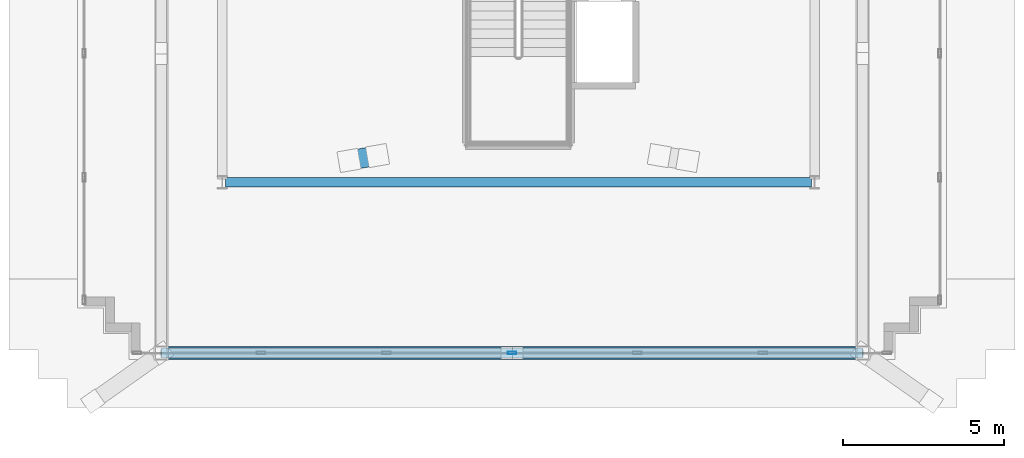
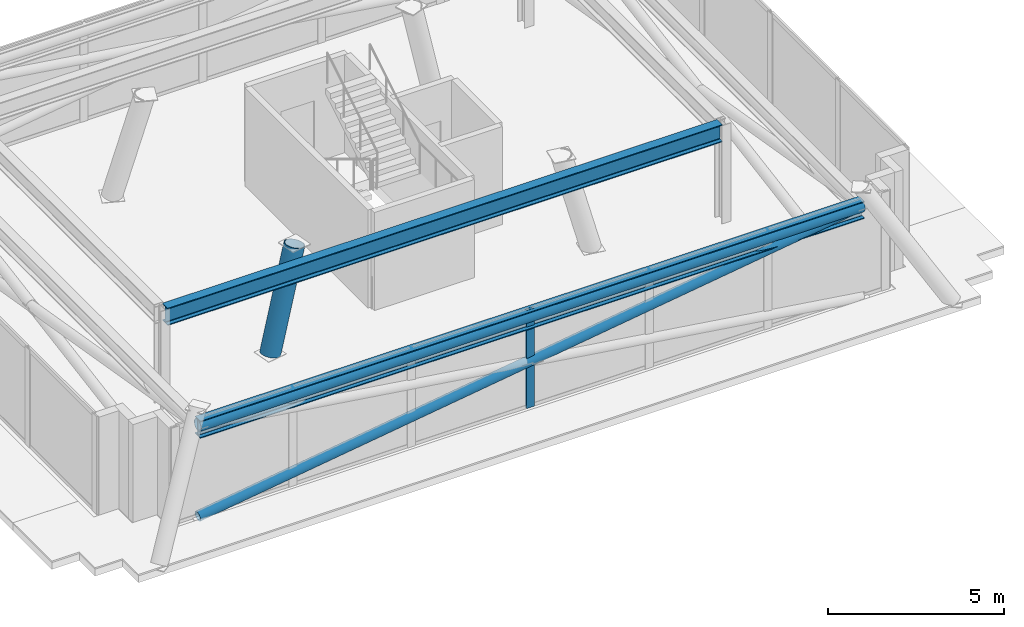
# One storey, part 3 of 13: 4 members, 2 beams, 1 element without a shape of its own.
"""IFC4 building model written with IfcOpenShell, lengths in metres."""

from ifc_helpers import new_model, si_unit, direction, frame, origin, origin_2d, place, context, subcontext, project, spatial, hollow_rectangle, hollow_circle, i_section, extrude, material, layer, layer_set, material_profile, profile_set, type_object, element, aggregate, save


model = new_model("IFC4")

# Units and contexts
model_context = context("Model", 3, precision=1e-05, world=origin(), true_north=direction((0.0, 1.0)))
body_context = subcontext(model_context, "Body", "Model", "MODEL_VIEW")
ifc_project = project(units=[si_unit("LENGTHUNIT", "METRE"), si_unit("AREAUNIT", "SQUARE_METRE"), si_unit("VOLUMEUNIT", "CUBIC_METRE"), si_unit("PLANEANGLEUNIT", "RADIAN"), si_unit("MASSUNIT", "GRAM", prefix="KILO")], contexts=[model_context])

# Site, building, storey
site_placement = place(None, origin())
site = spatial("IfcSite", under=ifc_project, at=site_placement, CompositionType="ELEMENT")
building_placement = place(site_placement, origin())
building = spatial("IfcBuilding", under=site, at=building_placement, Name="Qobustan Lattice House", CompositionType="ELEMENT")
storey_placement = place(building_placement, frame((0.0, 0.0, 285.39990234375)))
storey = spatial("IfcBuildingStorey", under=building, at=storey_placement, Name="L80", CompositionType="ELEMENT", Elevation=285.39990234375)

# Beams
ifc_material_1 = material(Name="Steel S355", Category="steel")
ifc_material_profile_1 = material_profile(ifc_material_1, i_section(OverallWidth=0.300048828125, OverallDepth=0.60009765625, WebThickness=0.015380859375, FlangeThickness=0.030029296875, FilletRadius=0.027099609375, at=origin_2d()), Name="HEB600")
ifc_profile_set_1 = profile_set([ifc_material_profile_1], Name="Steel S355")
beam_type = type_object("IfcBeamType", Name="BM-POD-HEB600", PredefinedType="USERDEFINED", material=ifc_profile_set_1)
beam_1_placement = place(storey_placement, frame((-9.10009765625, -5.60009765625, 3.10009765625), z_axis=(1.0, 0.0, 0.0), x_axis=(0.0, 1.0, 0.0)))
element("IfcBeam", 1, at=beam_1_placement, inside=storey, type_object=beam_type, Name="L80 crown support ring girder 1", ObjectType="GIRDER", PredefinedType="USERDEFINED", context=body_context, shape_type="SweptSolid", body=[
    extrude(i_section(OverallWidth=0.300048828125, OverallDepth=0.60009765625, WebThickness=0.015380859375, FlangeThickness=0.030029296875, FilletRadius=0.027099609375, at=origin_2d()), origin(), (0.0, 0.0, 1.0), 18.2001953125),
])
beam_2_placement = place(storey_placement, frame((-11.093505859375, -10.906494140625, 3.10009765625), z_axis=(1.0, 0.0, 0.0), x_axis=(0.0, 1.0, 0.0)))
element("IfcBeam", 2, at=beam_2_placement, inside=storey, type_object=beam_type, Name="L80 crown perimeter ring beam 1", ObjectType="GIRDER", PredefinedType="USERDEFINED", context=body_context, shape_type="SweptSolid", body=[
    extrude(i_section(OverallWidth=0.300048828125, OverallDepth=0.60009765625, WebThickness=0.015380859375, FlangeThickness=0.030029296875, FilletRadius=0.027099609375, at=origin_2d()), origin(), (0.0, 0.0, 1.0), 21.787109375),
])

# Curtain wall, member
ifc_material_2 = material(Name="Anodised aluminium and low-E glazing", Category="aluminium")
ifc_layer = layer(ifc_material_2, 0.219970703125)
ifc_layer_set = layer_set([ifc_layer], Name="Anodised aluminium and low-E glazing")
curtain_wall_type = type_object("IfcCurtainWallType", Name="CW-CRN-01", PredefinedType="USERDEFINED", material=ifc_layer_set)
curtain_wall_placement = place(storey_placement, origin())
curtain_wall = element("IfcCurtainWall", 3, at=curtain_wall_placement, inside=storey, type_object=curtain_wall_type, Name="L80 glass-point crown faceted curtain wall 20", ObjectType="CURTAIN WALL", PredefinedType="USERDEFINED")
ifc_material_3 = material(Name="Anodised aluminium EN AW-6063 T6", Category="aluminium")
ifc_material_profile_2 = material_profile(ifc_material_3, hollow_rectangle(XDim=0.090087890625, YDim=0.260009765625, WallThickness=0.006103515625, at=origin_2d()), Name="CWM-CROWN-260x90")
ifc_profile_set_2 = profile_set([ifc_material_profile_2], Name="Anodised aluminium EN AW-6063 T6")
member_type_1 = type_object("IfcMemberType", Name="CWM-CRN-260", PredefinedType="MULLION", material=ifc_profile_set_2)
member_1_placement = place(storey_placement, frame((-0.199951171875, -10.906494140625, 0.0), z_axis=(0.0, 0.0, 1.0), x_axis=(0.0, -1.0, 0.0)))
member_1 = element("IfcMember", 4, at=member_1_placement, type_object=member_type_1, Name="CW-CR mullion 4", PredefinedType="MULLION", context=body_context, shape_type="SweptSolid", body=[
    extrude(hollow_rectangle(XDim=0.090087890625, YDim=0.260009765625, WallThickness=0.006103515625, at=origin_2d()), origin(), (0.0, 0.0, 1.0), 3.400146484375),
])
aggregate(curtain_wall, [member_1])

# Members
ifc_material_4 = material(Name="Steel S355", Category="steel")
ifc_material_profile_3 = material_profile(ifc_material_4, hollow_circle(Radius=0.161865234375, WallThickness=0.012451171875, at=origin_2d()), Name="CHS323.9x12.5")
ifc_profile_set_3 = profile_set([ifc_material_profile_3], Name="Steel S355")
member_type_2 = type_object("IfcMemberType", Name="MEM-CBR-CHS324", PredefinedType="BRACE", material=ifc_profile_set_3)
member_2_placement = place(storey_placement, frame((-11.093505859375, -10.906494140625, 0.01513671875), z_axis=(0.989612270922, 0.0, 0.143762141195), x_axis=(0.0, 1.0, 0.0)))
element("IfcMember", 5, at=member_2_placement, inside=storey, type_object=member_type_2, Name="L80 crown diagrid continuous brace 1A", PredefinedType="BRACE", context=body_context, shape_type="SweptSolid", body=[
    extrude(hollow_circle(Radius=0.161865234375, WallThickness=0.012451171875, at=origin_2d()), origin(), (0.0, 0.0, 1.0), 22.015869140625),
])
ifc_material_5 = material(Name="Steel S355", Category="steel")
ifc_material_profile_4 = material_profile(ifc_material_5, hollow_circle(Radius=0.203125, WallThickness=0.01611328125, at=origin_2d()), Name="CHS406.4x16")
ifc_profile_set_4 = profile_set([ifc_material_profile_4], Name="Steel S355")
member_type_3 = type_object("IfcMemberType", Name="MEM-RNG-CHS406", PredefinedType="CHORD", material=ifc_profile_set_4)
member_3_placement = place(storey_placement, frame((-11.093505859375, -10.906494140625, 3.18017578125), z_axis=(1.0, 0.0, 0.0), x_axis=(0.0, 1.0, 0.0)))
element("IfcMember", 6, at=member_3_placement, inside=storey, type_object=member_type_3, Name="L80 crown ring chord 1", PredefinedType="CHORD", context=body_context, shape_type="SweptSolid", body=[
    extrude(hollow_circle(Radius=0.203125, WallThickness=0.01611328125, at=origin_2d()), origin(), (0.0, 0.0, 1.0), 21.787109375),
])
ifc_material_6 = material(Name="Steel S355", Category="steel")
ifc_material_profile_5 = material_profile(ifc_material_6, hollow_circle(Radius=0.304931640625, WallThickness=0.02490234375, at=origin_2d()), Name="CHS610x25")
ifc_profile_set_5 = profile_set([ifc_material_profile_5], Name="Steel S355")
member_type_4 = type_object("IfcMemberType", Name="MEM-SPR-CHS610", PredefinedType="USERDEFINED", material=ifc_profile_set_5)
member_4_placement = place(storey_placement, frame((-5.25927734375, -4.92431640625, 0.0), z_axis=(0.25074949261, 0.042983643291, 0.96709725383), x_axis=(-0.168956239166, 0.985623553517, 0.0)))
element("IfcMember", 7, at=member_4_placement, inside=storey, type_object=member_type_4, Name="L80 crown spire leg SL1", ObjectType="CROWN FRAME", PredefinedType="USERDEFINED", context=body_context, shape_type="SweptSolid", body=[
    extrude(hollow_circle(Radius=0.304931640625, WallThickness=0.02490234375, at=origin_2d()), origin(), (0.0, 0.0, 1.0), 3.515869140625),
])

save(model, "model.ifc")
